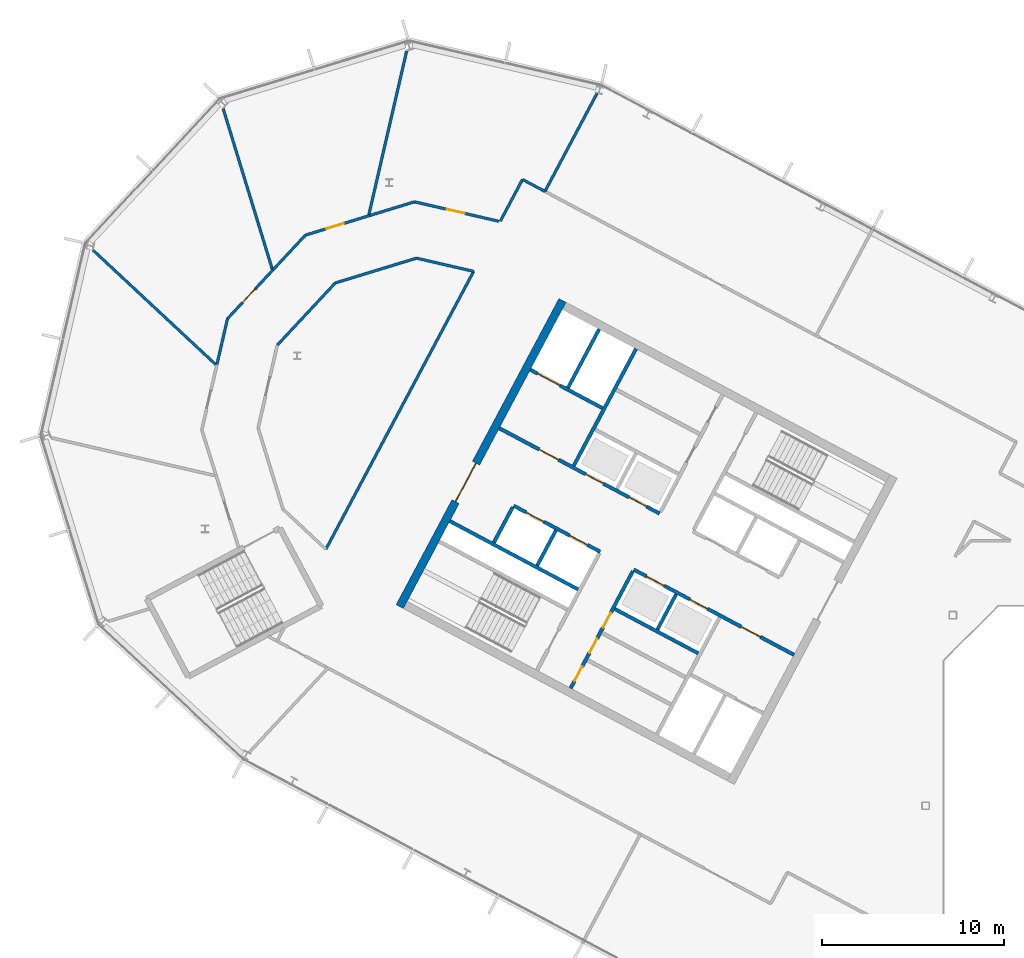
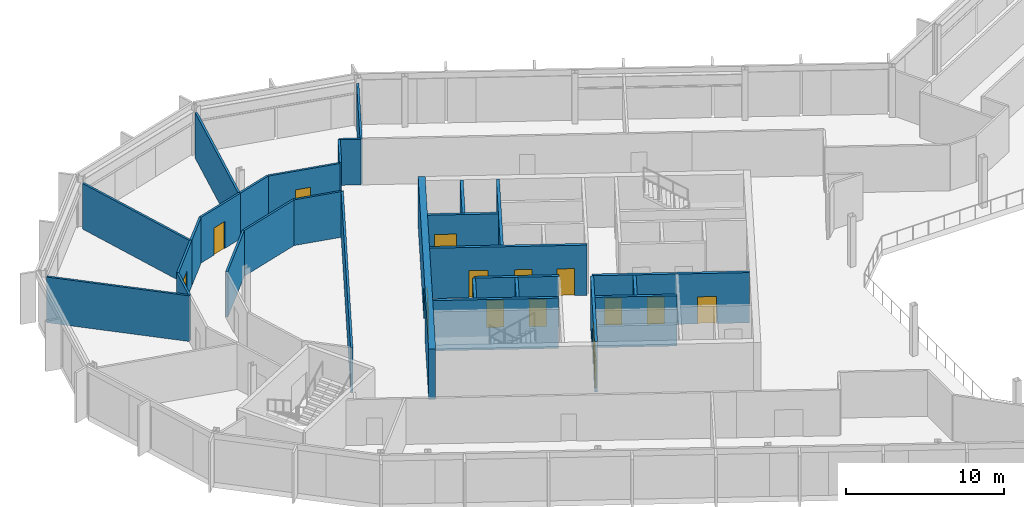
# One storey, part 15 of 30: 29 walls, 16 doors, 16 openings.
"""IFC4 building model written with IfcOpenShell, lengths in metres."""

from ifc_helpers import new_model, si_unit, direction, frame, frame_2d, origin, place, context, subcontext, project, spatial, rectangle, extrude, material, layer, layer_set, type_object, element, fill, save


model = new_model("IFC4")

# Units and contexts
model_context = context("Model", 3, precision=1e-05, world=origin(), true_north=direction((0.0, 1.0)))
body_context = subcontext(model_context, "Body", "Model", "MODEL_VIEW")
ifc_project = project(units=[si_unit("LENGTHUNIT", "METRE"), si_unit("AREAUNIT", "SQUARE_METRE"), si_unit("VOLUMEUNIT", "CUBIC_METRE"), si_unit("PLANEANGLEUNIT", "RADIAN"), si_unit("MASSUNIT", "GRAM", prefix="KILO")], contexts=[model_context])

# Site, building, storey
site_placement = place(None, origin())
site = spatial("IfcSite", under=ifc_project, at=site_placement, CompositionType="ELEMENT")
building_placement = place(site_placement, origin())
building = spatial("IfcBuilding", under=site, at=building_placement, Name="Cormorant Relay Tower", CompositionType="ELEMENT")
storey_placement = place(building_placement, frame((0.0, 0.0, 258.0)))
storey = spatial("IfcBuildingStorey", under=building, at=storey_placement, Name="L57", CompositionType="ELEMENT", Elevation=258.0)

# Walls
ifc_material_1 = material(Name="Concrete 40 MPa", Category="concrete")
ifc_layer_1 = layer(ifc_material_1, 0.199951171875)
ifc_layer_set_1 = layer_set([ifc_layer_1], Name="Core internal wall 200")
wall_type_1 = type_object("IfcWallType", Name="Core internal wall 200", PredefinedType="SOLIDWALL", material=ifc_layer_set_1)
for number, where, z_axis, x_axis, name in (
    (1, (-25.744140625, 11.64990234375, 0.0), (0.0, 0.0, 1.0), (-0.469487830541, -0.882938942948, 0.0), "L57 core A shaft and room wall"),
    (2, (-32.3662109375, 15.1708984375, 0.0), (0.0, 0.0, 1.0), (-0.469487830541, -0.882938942948, 0.0), "L57 core A shaft and room wall"),
):
    element("IfcWall", number, at=place(storey_placement, frame(where, z_axis=z_axis, x_axis=x_axis)), inside=storey, type_object=wall_type_1, Name=name, PredefinedType="SOLIDWALL", context=body_context, shape_type="SweptSolid", body=[
        extrude(rectangle(XDim=2.2001953125, YDim=0.199951171875, at=frame_2d((1.10009765625, 0.0))), origin(), (0.0, 0.0, 1.0), 3.89990234375),
    ])

# Wall, openings, doors
ifc_material_2 = material(Name="Concrete 50 MPa", Category="concrete")
ifc_layer_2 = layer(ifc_material_2, 0.199951171875)
ifc_layer_set_2 = layer_set([ifc_layer_2], Name="Core shaft wall 200")
wall_type_2 = type_object("IfcWallType", Name="Core shaft wall 200", PredefinedType="SHEAR", material=ifc_layer_set_2)
wall_1_placement = place(storey_placement, frame((-28.128173828125, 12.91748046875, 0.0), z_axis=(0.0, 0.0, 1.0), x_axis=(-0.469454336211, -0.882956752176, 0.0)))
wall_1 = element("IfcWall", 3, at=wall_1_placement, inside=storey, type_object=wall_type_2, Name="L57 core A shaft wall", PredefinedType="SHEAR", context=body_context, shape_type="SweptSolid", body=[
    extrude(rectangle(XDim=7.300048828125, YDim=0.199951171875, at=frame_2d((3.64990234375, 0.0))), origin(), (0.0, 0.0, 1.0), 3.89990234375),
])
opening_1_placement = place(wall_1_placement, frame((2.60009765625, 0.0, 0.0)))
opening_1 = element("IfcOpeningElement", 4, at=opening_1_placement, cuts=wall_1, Name="Opening CDD-278", PredefinedType="OPENING", context=body_context, shape_type="SweptSolid", body=[
    extrude(rectangle(XDim=0.89990234375, YDim=2.10009765625, at=frame_2d((0.449951171875, 1.050048828125))), frame((0.0, 0.10986328125, 0.0), z_axis=(0.0, -1.0, 0.0), x_axis=(1.0, 0.0, 0.0)), (0.0, 0.0, 1.0), 0.219970703125),
])
opening_2_placement = place(wall_1_placement, frame((4.199951171875, 0.0, 0.0)))
opening_2 = element("IfcOpeningElement", 5, at=opening_2_placement, cuts=wall_1, Name="Opening CDD-279", PredefinedType="OPENING", context=body_context, shape_type="SweptSolid", body=[
    extrude(rectangle(XDim=0.89990234375, YDim=2.10009765625, at=frame_2d((0.449951171875, 1.050048828125))), frame((0.0, 0.10986328125, 0.0), z_axis=(0.0, -1.0, 0.0), x_axis=(1.0, 0.0, 0.0)), (0.0, 0.0, 1.0), 0.219970703125),
])
opening_3_placement = place(wall_1_placement, frame((5.949951171875, 0.0, 0.0)))
opening_3 = element("IfcOpeningElement", 6, at=opening_3_placement, cuts=wall_1, Name="Opening CDD-280", PredefinedType="OPENING", context=body_context, shape_type="SweptSolid", body=[
    extrude(rectangle(XDim=0.89990234375, YDim=2.10009765625, at=frame_2d((0.449951171875, 1.050048828125))), frame((0.0, 0.10986328125, 0.0), z_axis=(0.0, -1.0, 0.0), x_axis=(1.0, 0.0, 0.0)), (0.0, 0.0, 1.0), 0.219970703125),
])
ifc_material_3 = material(Name="Steel fire door", Category="steel")
door_type_1 = type_object("IfcDoorType", Name="Core room door 900x2100", OperationType="SINGLE_SWING_LEFT", PredefinedType="DOOR", material=ifc_material_3)
door_1_placement = place(opening_1_placement, origin())
door_1 = element("IfcDoor", 7, at=door_1_placement, inside=storey, type_object=door_type_1, Name="Core room door 900x2100", OperationType="SINGLE_SWING_LEFT", OverallHeight=2.10009765625, OverallWidth=0.89990234375, PredefinedType="DOOR", context=body_context, shape_type="SweptSolid", body=[
    extrude(rectangle(XDim=0.89990234375, YDim=2.10009765625, at=frame_2d((0.449951171875, 1.050048828125))), frame((0.0, 0.02490234375, 0.0), z_axis=(0.0, -1.0, 0.0), x_axis=(1.0, 0.0, 0.0)), (0.0, 0.0, 1.0), 0.050048828125),
])
fill(opening_1, door_1)
door_2_placement = place(opening_2_placement, origin())
door_2 = element("IfcDoor", 8, at=door_2_placement, inside=storey, type_object=door_type_1, Name="Core room door 900x2100", OperationType="SINGLE_SWING_LEFT", OverallHeight=2.10009765625, OverallWidth=0.89990234375, PredefinedType="DOOR", context=body_context, shape_type="SweptSolid", body=[
    extrude(rectangle(XDim=0.89990234375, YDim=2.10009765625, at=frame_2d((0.449951171875, 1.050048828125))), frame((0.0, 0.02490234375, 0.0), z_axis=(0.0, -1.0, 0.0), x_axis=(1.0, 0.0, 0.0)), (0.0, 0.0, 1.0), 0.050048828125),
])
fill(opening_2, door_2)
door_3_placement = place(opening_3_placement, origin())
door_3 = element("IfcDoor", 9, at=door_3_placement, inside=storey, type_object=door_type_1, Name="Core room door 900x2100", OperationType="SINGLE_SWING_LEFT", OverallHeight=2.10009765625, OverallWidth=0.89990234375, PredefinedType="DOOR", context=body_context, shape_type="SweptSolid", body=[
    extrude(rectangle(XDim=0.89990234375, YDim=2.10009765625, at=frame_2d((0.449951171875, 1.050048828125))), frame((0.0, 0.02490234375, 0.0), z_axis=(0.0, -1.0, 0.0), x_axis=(1.0, 0.0, 0.0)), (0.0, 0.0, 1.0), 0.050048828125),
])
fill(opening_3, door_3)

# Walls
wall_2_placement = place(storey_placement, frame((-27.955322265625, 25.170654296875, 0.0), z_axis=(0.0, 0.0, 1.0), x_axis=(-0.469480409012, -0.88294288918, 0.0)))
element("IfcWall", 10, at=wall_2_placement, inside=storey, type_object=wall_type_2, Name="L57 core A shaft wall", PredefinedType="SHEAR", context=body_context, shape_type="SweptSolid", body=[
    extrude(rectangle(XDim=7.300048828125, YDim=0.199951171875, at=frame_2d((3.64990234375, 0.0))), origin(), (0.0, 0.0, 1.0), 3.89990234375),
])
wall_3_placement = place(storey_placement, frame((-34.750244140625, 16.4384765625, 0.0), z_axis=(0.0, 0.0, 1.0), x_axis=(-0.469401318492, -0.882984938828, 0.0)))
element("IfcWall", 11, at=wall_3_placement, inside=storey, type_object=wall_type_2, Name="L57 core A shaft wall", PredefinedType="SHEAR", context=body_context, shape_type="SweptSolid", body=[
    extrude(rectangle(XDim=2.199951171875, YDim=0.199951171875, at=frame_2d((1.10009765625, 0.0))), origin(), (0.0, 0.0, 1.0), 3.89990234375),
])
wall_4_placement = place(storey_placement, frame((-29.986083984375, 26.250244140625, 0.0), z_axis=(0.0, 0.0, 1.0), x_axis=(-0.469494272526, -0.882935517501, 0.0)))
element("IfcWall", 12, at=wall_4_placement, inside=storey, type_object=wall_type_2, Name="L57 core A shaft wall", PredefinedType="SHEAR", context=body_context, shape_type="SweptSolid", body=[
    extrude(rectangle(XDim=3.64990234375, YDim=0.199951171875, at=frame_2d((1.824951171875, 0.0))), origin(), (0.0, 0.0, 1.0), 3.89990234375),
])

# Wall, opening, door
wall_5_placement = place(storey_placement, frame((-29.80419921875, 21.906494140625, 0.0), z_axis=(0.0, 0.0, 1.0), x_axis=(-0.882960433586, 0.469447412093, 0.0)))
wall_5 = element("IfcWall", 13, at=wall_5_placement, inside=storey, type_object=wall_type_2, Name="L57 core A shaft wall", PredefinedType="SHEAR", context=body_context, shape_type="SweptSolid", body=[
    extrude(rectangle(XDim=4.5, YDim=0.199951171875, at=frame_2d((2.25, 0.0))), origin(), (0.0, 0.0, 1.0), 3.89990234375),
])
opening_4_placement = place(wall_5_placement, frame((2.64990234375, 0.0, 0.0)))
opening_4 = element("IfcOpeningElement", 14, at=opening_4_placement, cuts=wall_5, Name="Opening LD3-015", PredefinedType="OPENING", context=body_context, shape_type="SweptSolid", body=[
    extrude(rectangle(XDim=1.39990234375, YDim=2.39990234375, at=frame_2d((0.699951171875, 1.199951171875))), frame((0.0, 0.10986328125, 0.0), z_axis=(0.0, -1.0, 0.0), x_axis=(1.0, 0.0, 0.0)), (0.0, 0.0, 1.0), 0.219970703125),
])
ifc_material_4 = material(Name="Stainless steel 316", Category="steel")
door_type_2 = type_object("IfcDoorType", Name="Lift landing door 1400x2400", OperationType="DOUBLE_DOOR_SLIDING", PredefinedType="DOOR", material=ifc_material_4)
door_4_placement = place(opening_4_placement, origin())
door_4 = element("IfcDoor", 15, at=door_4_placement, inside=storey, type_object=door_type_2, Name="SV1 landing door", OperationType="DOUBLE_DOOR_SLIDING", OverallHeight=2.39990234375, OverallWidth=1.39990234375, PredefinedType="DOOR", context=body_context, shape_type="SweptSolid", body=[
    extrude(rectangle(XDim=1.39990234375, YDim=2.39990234375, at=frame_2d((0.699951171875, 1.199951171875))), frame((0.0, 0.02490234375, 0.0), z_axis=(0.0, -1.0, 0.0), x_axis=(1.0, 0.0, 0.0)), (0.0, 0.0, 1.0), 0.050048828125),
])
fill(opening_4, door_4)

# Wall, openings, doors
wall_6_placement = place(storey_placement, frame((-26.66162109375, 16.1015625, 0.0), z_axis=(0.0, 0.0, 1.0), x_axis=(-0.882940221191, 0.469485426614, 0.0)))
wall_6 = element("IfcWall", 16, at=wall_6_placement, inside=storey, type_object=wall_type_2, Name="L57 core A shaft wall", PredefinedType="SHEAR", context=body_context, shape_type="SweptSolid", body=[
    extrude(rectangle(XDim=10.0, YDim=0.199951171875, at=frame_2d((5.0, 0.0))), origin(), (0.0, 0.0, 1.0), 3.89990234375),
])
opening_5_placement = place(wall_6_placement, frame((6.300048828125, 0.0, 0.0)))
opening_5 = element("IfcOpeningElement", 17, at=opening_5_placement, cuts=wall_6, Name="Opening CDC-034", PredefinedType="OPENING", context=body_context, shape_type="SweptSolid", body=[
    extrude(rectangle(XDim=1.199951171875, YDim=2.10009765625, at=frame_2d((0.60009765625, 1.050048828125))), frame((0.0, 0.10986328125, 0.0), z_axis=(0.0, -1.0, 0.0), x_axis=(1.0, 0.0, 0.0)), (0.0, 0.0, 1.0), 0.219970703125),
])
opening_6_placement = place(wall_6_placement, frame((0.800048828125, 0.0, 0.0)))
opening_6 = element("IfcOpeningElement", 18, at=opening_6_placement, cuts=wall_6, Name="Opening LD1-067", PredefinedType="OPENING", context=body_context, shape_type="SweptSolid", body=[
    extrude(rectangle(XDim=1.10009765625, YDim=2.10009765625, at=frame_2d((0.550048828125, 1.050048828125))), frame((0.0, 0.10986328125, 0.0), z_axis=(0.0, -1.0, 0.0), x_axis=(1.0, 0.0, 0.0)), (0.0, 0.0, 1.0), 0.219970703125),
])
opening_7_placement = place(wall_6_placement, frame((3.5, 0.0, 0.0)))
opening_7 = element("IfcOpeningElement", 19, at=opening_7_placement, cuts=wall_6, Name="Opening LD1-068", PredefinedType="OPENING", context=body_context, shape_type="SweptSolid", body=[
    extrude(rectangle(XDim=1.10009765625, YDim=2.10009765625, at=frame_2d((0.550048828125, 1.050048828125))), frame((0.0, 0.10986328125, 0.0), z_axis=(0.0, -1.0, 0.0), x_axis=(1.0, 0.0, 0.0)), (0.0, 0.0, 1.0), 0.219970703125),
])
ifc_material_5 = material(Name="Steel fire door", Category="steel")
door_type_3 = type_object("IfcDoorType", Name="Core lobby door 1200x2100", OperationType="SINGLE_SWING_LEFT", PredefinedType="DOOR", material=ifc_material_5)
door_5_placement = place(opening_5_placement, origin())
door_5 = element("IfcDoor", 20, at=door_5_placement, inside=storey, type_object=door_type_3, Name="Core lobby door 1200x2100", OperationType="SINGLE_SWING_LEFT", OverallHeight=2.10009765625, OverallWidth=1.199951171875, PredefinedType="DOOR", context=body_context, shape_type="SweptSolid", body=[
    extrude(rectangle(XDim=1.199951171875, YDim=2.10009765625, at=frame_2d((0.60009765625, 1.050048828125))), frame((0.0, 0.02490234375, 0.0), z_axis=(0.0, -1.0, 0.0), x_axis=(1.0, 0.0, 0.0)), (0.0, 0.0, 1.0), 0.050048828125),
])
fill(opening_5, door_5)
ifc_material_6 = material(Name="Stainless steel 316", Category="steel")
door_type_4 = type_object("IfcDoorType", Name="Lift landing door 1100x2100", OperationType="DOUBLE_DOOR_SLIDING", PredefinedType="DOOR", material=ifc_material_6)
door_6_placement = place(opening_6_placement, origin())
door_6 = element("IfcDoor", 21, at=door_6_placement, inside=storey, type_object=door_type_4, Name="HR3 landing door", OperationType="DOUBLE_DOOR_SLIDING", OverallHeight=2.10009765625, OverallWidth=1.10009765625, PredefinedType="DOOR", context=body_context, shape_type="SweptSolid", body=[
    extrude(rectangle(XDim=1.10009765625, YDim=2.10009765625, at=frame_2d((0.550048828125, 1.050048828125))), frame((0.0, 0.02490234375, 0.0), z_axis=(0.0, -1.0, 0.0), x_axis=(1.0, 0.0, 0.0)), (0.0, 0.0, 1.0), 0.050048828125),
])
fill(opening_6, door_6)
door_7_placement = place(opening_7_placement, origin())
door_7 = element("IfcDoor", 22, at=door_7_placement, inside=storey, type_object=door_type_4, Name="HR4 landing door", OperationType="DOUBLE_DOOR_SLIDING", OverallHeight=2.10009765625, OverallWidth=1.10009765625, PredefinedType="DOOR", context=body_context, shape_type="SweptSolid", body=[
    extrude(rectangle(XDim=1.10009765625, YDim=2.10009765625, at=frame_2d((0.550048828125, 1.050048828125))), frame((0.0, 0.02490234375, 0.0), z_axis=(0.0, -1.0, 0.0), x_axis=(1.0, 0.0, 0.0)), (0.0, 0.0, 1.0), 0.050048828125),
])
fill(opening_7, door_7)

wall_7_placement = place(storey_placement, frame((-19.251708984375, 8.31103515625, 0.0), z_axis=(0.0, 0.0, 1.0), x_axis=(-0.882955722218, 0.469456273365, 0.0)))
wall_7 = element("IfcWall", 23, at=wall_7_placement, inside=storey, type_object=wall_type_2, Name="L57 core A shaft wall", PredefinedType="SHEAR", context=body_context, shape_type="SweptSolid", body=[
    extrude(rectangle(XDim=10.0, YDim=0.199951171875, at=frame_2d((5.0, 0.0))), origin(), (0.0, 0.0, 1.0), 3.89990234375),
])
opening_8_placement = place(wall_7_placement, frame((2.10009765625, 0.0, 0.0)))
opening_8 = element("IfcOpeningElement", 24, at=opening_8_placement, cuts=wall_7, Name="Opening CDC-033", PredefinedType="OPENING", context=body_context, shape_type="SweptSolid", body=[
    extrude(rectangle(XDim=1.199951171875, YDim=2.10009765625, at=frame_2d((0.60009765625, 1.050048828125))), frame((0.0, 0.10986328125, 0.0), z_axis=(0.0, -1.0, 0.0), x_axis=(1.0, 0.0, 0.0)), (0.0, 0.0, 1.0), 0.219970703125),
])
opening_9_placement = place(wall_7_placement, frame((5.39990234375, 0.0, 0.0)))
opening_9 = element("IfcOpeningElement", 25, at=opening_9_placement, cuts=wall_7, Name="Opening LD1-065", PredefinedType="OPENING", context=body_context, shape_type="SweptSolid", body=[
    extrude(rectangle(XDim=1.10009765625, YDim=2.10009765625, at=frame_2d((0.550048828125, 1.050048828125))), frame((0.0, 0.10986328125, 0.0), z_axis=(0.0, -1.0, 0.0), x_axis=(1.0, 0.0, 0.0)), (0.0, 0.0, 1.0), 0.219970703125),
])
opening_10_placement = place(wall_7_placement, frame((8.10009765625, 0.0, 0.0)))
opening_10 = element("IfcOpeningElement", 26, at=opening_10_placement, cuts=wall_7, Name="Opening LD1-066", PredefinedType="OPENING", context=body_context, shape_type="SweptSolid", body=[
    extrude(rectangle(XDim=1.10009765625, YDim=2.10009765625, at=frame_2d((0.550048828125, 1.050048828125))), frame((0.0, 0.10986328125, 0.0), z_axis=(0.0, -1.0, 0.0), x_axis=(1.0, 0.0, 0.0)), (0.0, 0.0, 1.0), 0.219970703125),
])
door_8_placement = place(opening_8_placement, origin())
door_8 = element("IfcDoor", 27, at=door_8_placement, inside=storey, type_object=door_type_3, Name="Core lobby door 1200x2100", OperationType="SINGLE_SWING_RIGHT", OverallHeight=2.10009765625, OverallWidth=1.199951171875, PredefinedType="DOOR", context=body_context, shape_type="SweptSolid", body=[
    extrude(rectangle(XDim=1.199951171875, YDim=2.10009765625, at=frame_2d((0.60009765625, 1.050048828125))), frame((0.0, 0.02490234375, 0.0), z_axis=(0.0, -1.0, 0.0), x_axis=(1.0, 0.0, 0.0)), (0.0, 0.0, 1.0), 0.050048828125),
])
fill(opening_8, door_8)
door_9_placement = place(opening_9_placement, origin())
door_9 = element("IfcDoor", 28, at=door_9_placement, inside=storey, type_object=door_type_4, Name="HR1 landing door", OperationType="DOUBLE_DOOR_SLIDING", OverallHeight=2.10009765625, OverallWidth=1.10009765625, PredefinedType="DOOR", context=body_context, shape_type="SweptSolid", body=[
    extrude(rectangle(XDim=1.10009765625, YDim=2.10009765625, at=frame_2d((0.550048828125, 1.050048828125))), frame((0.0, 0.02490234375, 0.0), z_axis=(0.0, -1.0, 0.0), x_axis=(1.0, 0.0, 0.0)), (0.0, 0.0, 1.0), 0.050048828125),
])
fill(opening_9, door_9)
door_10_placement = place(opening_10_placement, origin())
door_10 = element("IfcDoor", 29, at=door_10_placement, inside=storey, type_object=door_type_4, Name="HR2 landing door", OperationType="DOUBLE_DOOR_SLIDING", OverallHeight=2.10009765625, OverallWidth=1.10009765625, PredefinedType="DOOR", context=body_context, shape_type="SweptSolid", body=[
    extrude(rectangle(XDim=1.10009765625, YDim=2.10009765625, at=frame_2d((0.550048828125, 1.050048828125))), frame((0.0, 0.02490234375, 0.0), z_axis=(0.0, -1.0, 0.0), x_axis=(1.0, 0.0, 0.0)), (0.0, 0.0, 1.0), 0.050048828125),
])
fill(opening_10, door_10)

wall_8_placement = place(storey_placement, frame((-29.935302734375, 13.991455078125, 0.0), z_axis=(0.0, 0.0, 1.0), x_axis=(-0.882952937579, 0.469461510692, 0.0)))
wall_8 = element("IfcWall", 30, at=wall_8_placement, inside=storey, type_object=wall_type_2, Name="L57 core A shaft wall", PredefinedType="SHEAR", context=body_context, shape_type="SweptSolid", body=[
    extrude(rectangle(XDim=5.400146484375, YDim=0.199951171875, at=frame_2d((2.7001953125, 0.0))), origin(), (0.0, 0.0, 1.0), 3.89990234375),
])
opening_11_placement = place(wall_8_placement, frame((0.800048828125, 0.0, 0.0)))
opening_11 = element("IfcOpeningElement", 31, at=opening_11_placement, cuts=wall_8, Name="Opening LD1-059", PredefinedType="OPENING", context=body_context, shape_type="SweptSolid", body=[
    extrude(rectangle(XDim=1.10009765625, YDim=2.10009765625, at=frame_2d((0.550048828125, 1.050048828125))), frame((0.0, 0.10986328125, 0.0), z_axis=(0.0, -1.0, 0.0), x_axis=(1.0, 0.0, 0.0)), (0.0, 0.0, 1.0), 0.219970703125),
])
opening_12_placement = place(wall_8_placement, frame((3.5, 0.0, 0.0)))
opening_12 = element("IfcOpeningElement", 32, at=opening_12_placement, cuts=wall_8, Name="Opening LD1-060", PredefinedType="OPENING", context=body_context, shape_type="SweptSolid", body=[
    extrude(rectangle(XDim=1.10009765625, YDim=2.10009765625, at=frame_2d((0.550048828125, 1.050048828125))), frame((0.0, 0.10986328125, 0.0), z_axis=(0.0, -1.0, 0.0), x_axis=(1.0, 0.0, 0.0)), (0.0, 0.0, 1.0), 0.219970703125),
])
door_11_placement = place(opening_11_placement, origin())
door_11 = element("IfcDoor", 33, at=door_11_placement, inside=storey, type_object=door_type_4, Name="MR1 landing door", OperationType="DOUBLE_DOOR_SLIDING", OverallHeight=2.10009765625, OverallWidth=1.10009765625, PredefinedType="DOOR", context=body_context, shape_type="SweptSolid", body=[
    extrude(rectangle(XDim=1.10009765625, YDim=2.10009765625, at=frame_2d((0.550048828125, 1.050048828125))), frame((0.0, 0.02490234375, 0.0), z_axis=(0.0, -1.0, 0.0), x_axis=(1.0, 0.0, 0.0)), (0.0, 0.0, 1.0), 0.050048828125),
])
fill(opening_11, door_11)
door_12_placement = place(opening_12_placement, origin())
door_12 = element("IfcDoor", 34, at=door_12_placement, inside=storey, type_object=door_type_4, Name="MR2 landing door", OperationType="DOUBLE_DOOR_SLIDING", OverallHeight=2.10009765625, OverallWidth=1.10009765625, PredefinedType="DOOR", context=body_context, shape_type="SweptSolid", body=[
    extrude(rectangle(XDim=1.10009765625, YDim=2.10009765625, at=frame_2d((0.550048828125, 1.050048828125))), frame((0.0, 0.02490234375, 0.0), z_axis=(0.0, -1.0, 0.0), x_axis=(1.0, 0.0, 0.0)), (0.0, 0.0, 1.0), 0.050048828125),
])
fill(opening_12, door_12)

# Walls
wall_9_placement = place(storey_placement, frame((-24.5283203125, 8.3984375, 0.0), z_axis=(0.0, 0.0, 1.0), x_axis=(-0.882953967957, 0.469459572775, 0.0)))
element("IfcWall", 35, at=wall_9_placement, inside=storey, type_object=wall_type_2, Name="L57 core A shaft wall", PredefinedType="SHEAR", context=body_context, shape_type="SweptSolid", body=[
    extrude(rectangle(XDim=5.199951171875, YDim=0.199951171875, at=frame_2d((2.60009765625, 0.0))), origin(), (0.0, 0.0, 1.0), 3.89990234375),
])
wall_10_placement = place(storey_placement, frame((-31.150390625, 11.91943359375, 0.0), z_axis=(0.0, 0.0, 1.0), x_axis=(-0.882940221191, 0.469485426614, 0.0)))
element("IfcWall", 36, at=wall_10_placement, inside=storey, type_object=wall_type_2, Name="L57 core A shaft wall", PredefinedType="SHEAR", context=body_context, shape_type="SweptSolid", body=[
    extrude(rectangle(XDim=8.0, YDim=0.199951171875, at=frame_2d((4.0, 0.0))), origin(), (0.0, 0.0, 1.0), 3.89990234375),
])

# Wall, opening, door
ifc_material_7 = material(Name="Concrete 50 MPa", Category="concrete")
ifc_layer_3 = layer(ifc_material_7, 0.449951171875)
ifc_layer_set_3 = layer_set([ifc_layer_3], Name="Core wall 450")
wall_type_3 = type_object("IfcWallType", Name="Core wall 450", PredefinedType="SHEAR", material=ifc_layer_set_3)
wall_11_placement = place(storey_placement, frame((-32.00439453125, 27.8330078125, 0.0), z_axis=(0.0, 0.0, 1.0), x_axis=(-0.469467968382, -0.882949504028, 0.0)))
wall_11 = element("IfcWall", 37, at=wall_11_placement, inside=storey, type_object=wall_type_3, Name="L57 core A wall", PredefinedType="SHEAR", context=body_context, shape_type="SweptSolid", body=[
    extrude(rectangle(XDim=19.099853515625, YDim=0.449951171875, at=frame_2d((9.5498046875, 0.0))), origin(), (0.0, 0.0, 1.0), 3.89990234375),
])
opening_13_placement = place(wall_11_placement, frame((10.14990234375, 0.0, 0.0)))
opening_13 = element("IfcOpeningElement", 38, at=opening_13_placement, cuts=wall_11, Name="Opening CDA-051", PredefinedType="OPENING", context=body_context, shape_type="SweptSolid", body=[
    extrude(rectangle(XDim=2.39990234375, YDim=2.39990234375, at=frame_2d((1.199951171875, 1.199951171875))), frame((0.0, 0.23486328125, 0.0), z_axis=(0.0, -1.0, 0.0), x_axis=(1.0, 0.0, 0.0)), (0.0, 0.0, 1.0), 0.469970703125),
])
ifc_material_8 = material(Name="Steel fire door", Category="steel")
door_type_5 = type_object("IfcDoorType", Name="Core lobby door 2400x2400", OperationType="DOUBLE_DOOR_SINGLE_SWING", PredefinedType="DOOR", material=ifc_material_8)
door_13_placement = place(opening_13_placement, origin())
door_13 = element("IfcDoor", 39, at=door_13_placement, inside=storey, type_object=door_type_5, Name="Core lobby door 2400x2400", OperationType="DOUBLE_DOOR_SINGLE_SWING", OverallHeight=2.39990234375, OverallWidth=2.39990234375, PredefinedType="DOOR", context=body_context, shape_type="SweptSolid", body=[
    extrude(rectangle(XDim=2.39990234375, YDim=2.39990234375, at=frame_2d((1.199951171875, 1.199951171875))), frame((0.0, 0.02490234375, 0.0), z_axis=(0.0, -1.0, 0.0), x_axis=(1.0, 0.0, 0.0)), (0.0, 0.0, 1.0), 0.050048828125),
])
fill(opening_13, door_13)

ifc_material_9 = material(Name="Gypsum board fire partition")
ifc_layer_4 = layer(ifc_material_9, 0.14990234375)
ifc_layer_set_4 = layer_set([ifc_layer_4], Name="Corridor partition 150 EI 60")
wall_type_4 = type_object("IfcWallType", Name="Corridor partition 150 EI 60", PredefinedType="PARTITIONING", material=ifc_layer_set_4)
wall_12_placement = place(storey_placement, frame((-47.94091796875, 29.530029296875, 0.0), z_axis=(0.0, 0.0, 1.0), x_axis=(-0.682044894272, -0.731310304999, 0.0)))
wall_12 = element("IfcWall", 40, at=wall_12_placement, inside=storey, type_object=wall_type_4, Name="wall/L57/part/007", PredefinedType="PARTITIONING", context=body_context, shape_type="SweptSolid", body=[
    extrude(rectangle(XDim=3.69189453125, YDim=0.14990234375, at=frame_2d((1.845947265625, 0.0))), origin(), (0.0, 0.0, 1.0), 3.5400390625),
])
opening_14_placement = place(wall_12_placement, frame((1.47509765625, 0.0, 0.0)))
opening_14 = element("IfcOpeningElement", 41, at=opening_14_placement, cuts=wall_12, Name="Opening DS-195", PredefinedType="OPENING", context=body_context, shape_type="SweptSolid", body=[
    extrude(rectangle(XDim=1.0, YDim=2.10009765625, at=frame_2d((0.5, 1.050048828125))), frame((0.0, 0.0849609375, 0.0), z_axis=(0.0, -1.0, 0.0), x_axis=(1.0, 0.0, 0.0)), (0.0, 0.0, 1.0), 0.169921875),
])
ifc_material_10 = material(Name="Timber door leaf", Category="wood")
door_type_6 = type_object("IfcDoorType", Name="Suite door 1000x2100", OperationType="SINGLE_SWING_LEFT", PredefinedType="DOOR", material=ifc_material_10)
door_14_placement = place(opening_14_placement, frame((1.0, 0.0, 0.0), z_axis=(0.0, 0.0, 1.0), x_axis=(-1.0, 0.0, 0.0)))
door_14 = element("IfcDoor", 42, at=door_14_placement, inside=storey, type_object=door_type_6, Name="door/L57/009", OperationType="SINGLE_SWING_RIGHT", OverallHeight=2.10009765625, OverallWidth=1.0, PredefinedType="DOOR", context=body_context, shape_type="SweptSolid", body=[
    extrude(rectangle(XDim=1.0, YDim=2.10009765625, at=frame_2d((0.5, 1.050048828125))), frame((0.0, 0.02490234375, 0.0), z_axis=(0.0, -1.0, 0.0), x_axis=(1.0, 0.0, 0.0)), (0.0, 0.0, 1.0), 0.050048828125),
])
fill(opening_14, door_14)

# Wall
wall_13_placement = place(storey_placement, frame((-50.458984375, 26.830078125, 0.0), z_axis=(0.0, 0.0, 1.0), x_axis=(-0.225121568864, -0.974330682691, 0.0)))
element("IfcWall", 43, at=wall_13_placement, inside=storey, type_object=wall_type_4, Name="wall/L57/part/008", PredefinedType="PARTITIONING", context=body_context, shape_type="SweptSolid", body=[
    extrude(rectangle(XDim=2.58544921875, YDim=0.14990234375, at=frame_2d((1.292724609375, 0.0))), origin(), (0.0, 0.0, 1.0), 3.5400390625),
])

# Wall, opening, door
wall_14_placement = place(storey_placement, frame((-42.638916015625, 32.509033203125, 0.0), z_axis=(0.0, 0.0, 1.0), x_axis=(-0.956263759499, -0.292505764504, 0.0)))
wall_14 = element("IfcWall", 44, at=wall_14_placement, inside=storey, type_object=wall_type_4, Name="wall/L57/part/012", PredefinedType="PARTITIONING", context=body_context, shape_type="SweptSolid", body=[
    extrude(rectangle(XDim=3.6923828125, YDim=0.14990234375, at=frame_2d((1.84619140625, 0.0))), origin(), (0.0, 0.0, 1.0), 3.5400390625),
])
opening_15_placement = place(wall_14_placement, frame((1.47509765625, 0.0, 0.0)))
opening_15 = element("IfcOpeningElement", 45, at=opening_15_placement, cuts=wall_14, Name="Opening DS-194", PredefinedType="OPENING", context=body_context, shape_type="SweptSolid", body=[
    extrude(rectangle(XDim=1.0, YDim=2.10009765625, at=frame_2d((0.5, 1.050048828125))), frame((0.0, 0.0849609375, 0.0), z_axis=(0.0, -1.0, 0.0), x_axis=(1.0, 0.0, 0.0)), (0.0, 0.0, 1.0), 0.169921875),
])
door_15_placement = place(opening_15_placement, frame((1.0, 0.0, 0.0), z_axis=(0.0, 0.0, 1.0), x_axis=(-1.0, 0.0, 0.0)))
door_15 = element("IfcDoor", 46, at=door_15_placement, inside=storey, type_object=door_type_6, Name="door/L57/008", OperationType="SINGLE_SWING_RIGHT", OverallHeight=2.10009765625, OverallWidth=1.0, PredefinedType="DOOR", context=body_context, shape_type="SweptSolid", body=[
    extrude(rectangle(XDim=1.0, YDim=2.10009765625, at=frame_2d((0.5, 1.050048828125))), frame((0.0, 0.02490234375, 0.0), z_axis=(0.0, -1.0, 0.0), x_axis=(1.0, 0.0, 0.0)), (0.0, 0.0, 1.0), 0.050048828125),
])
fill(opening_15, door_15)

# Wall
wall_15_placement = place(storey_placement, frame((-46.169921875, 31.428955078125, 0.0), z_axis=(0.0, 0.0, 1.0), x_axis=(-0.68198172509, -0.731369213628, 0.0)))
element("IfcWall", 47, at=wall_15_placement, inside=storey, type_object=wall_type_4, Name="wall/L57/part/013", PredefinedType="PARTITIONING", context=body_context, shape_type="SweptSolid", body=[
    extrude(rectangle(XDim=2.58544921875, YDim=0.14990234375, at=frame_2d((1.292724609375, 0.0))), origin(), (0.0, 0.0, 1.0), 3.5400390625),
])

# Wall, opening, door
wall_16_placement = place(storey_placement, frame((-35.50537109375, 32.193115234375, 0.0), z_axis=(0.0, 0.0, 1.0), x_axis=(-0.974367056683, 0.22496408347, 0.0)))
wall_16 = element("IfcWall", 48, at=wall_16_placement, inside=storey, type_object=wall_type_4, Name="wall/L57/part/018", PredefinedType="PARTITIONING", context=body_context, shape_type="SweptSolid", body=[
    extrude(rectangle(XDim=4.77392578125, YDim=0.14990234375, at=frame_2d((2.386962890625, 0.0))), origin(), (0.0, 0.0, 1.0), 3.5400390625),
])
opening_16_placement = place(wall_16_placement, frame((1.9404296875, 0.0, 0.0)))
opening_16 = element("IfcOpeningElement", 49, at=opening_16_placement, cuts=wall_16, Name="Opening DS-193", PredefinedType="OPENING", context=body_context, shape_type="SweptSolid", body=[
    extrude(rectangle(XDim=1.0, YDim=2.10009765625, at=frame_2d((0.5, 1.050048828125))), frame((0.0, 0.0849609375, 0.0), z_axis=(0.0, -1.0, 0.0), x_axis=(1.0, 0.0, 0.0)), (0.0, 0.0, 1.0), 0.169921875),
])
door_16_placement = place(opening_16_placement, frame((1.0, 0.0, 0.0), z_axis=(0.0, 0.0, 1.0), x_axis=(-1.0, 0.0, 0.0)))
door_16 = element("IfcDoor", 50, at=door_16_placement, inside=storey, type_object=door_type_6, Name="door/L57/007", OperationType="SINGLE_SWING_RIGHT", OverallHeight=2.10009765625, OverallWidth=1.0, PredefinedType="DOOR", context=body_context, shape_type="SweptSolid", body=[
    extrude(rectangle(XDim=1.0, YDim=2.10009765625, at=frame_2d((0.5, 1.050048828125))), frame((0.0, 0.02490234375, 0.0), z_axis=(0.0, -1.0, 0.0), x_axis=(1.0, 0.0, 0.0)), (0.0, 0.0, 1.0), 0.050048828125),
])
fill(opening_16, door_16)

# Walls
wall_17_placement = place(storey_placement, frame((-40.156982421875, 33.26708984375, 0.0), z_axis=(0.0, 0.0, 1.0), x_axis=(-0.956265748616, -0.292499261577, 0.0)))
element("IfcWall", 51, at=wall_17_placement, inside=storey, type_object=wall_type_4, Name="wall/L57/part/019", PredefinedType="PARTITIONING", context=body_context, shape_type="SweptSolid", body=[
    extrude(rectangle(XDim=2.5849609375, YDim=0.14990234375, at=frame_2d((1.29248046875, 0.0))), origin(), (0.0, 0.0, 1.0), 3.5400390625),
])
wall_18_placement = place(storey_placement, frame((-32.97509765625, 33.842041015625, 0.0), z_axis=(0.0, 0.0, 1.0), x_axis=(-0.88325597014, 0.46889112938, 0.0)))
element("IfcWall", 52, at=wall_18_placement, inside=storey, type_object=wall_type_4, Name="wall/L57/part/020", PredefinedType="PARTITIONING", context=body_context, shape_type="SweptSolid", body=[
    extrude(rectangle(XDim=1.39697265625, YDim=0.14990234375, at=frame_2d((0.698486328125, 0.0))), origin(), (0.0, 0.0, 1.0), 3.5400390625),
])
wall_19_placement = place(storey_placement, frame((-35.428955078125, 32.201904296875, 0.0), z_axis=(0.0, 0.0, 1.0), x_axis=(0.469491528043, 0.882936976854, 0.0)))
element("IfcWall", 53, at=wall_19_placement, inside=storey, type_object=wall_type_4, Name="wall/L57/part/021", PredefinedType="PARTITIONING", context=body_context, shape_type="SweptSolid", body=[
    extrude(rectangle(XDim=2.6005859375, YDim=0.14990234375, at=frame_2d((1.30029296875, 0.0))), origin(), (0.0, 0.0, 1.0), 3.5400390625),
])
wall_20_placement = place(storey_placement, frame((-47.717041015625, 25.37109375, 0.0), z_axis=(0.0, 0.0, 1.0), x_axis=(0.682037643885, 0.731317066889, 0.0)))
element("IfcWall", 54, at=wall_20_placement, inside=storey, type_object=wall_type_4, Name="wall/L57/part/056", PredefinedType="PARTITIONING", context=body_context, shape_type="SweptSolid", body=[
    extrude(rectangle(XDim=4.681640625, YDim=0.14990234375, at=frame_2d((2.3408203125, 0.0))), origin(), (0.0, 0.0, 1.0), 3.5400390625),
])
wall_21_placement = place(storey_placement, frame((-44.52392578125, 28.794921875, 0.0), z_axis=(0.0, 0.0, 1.0), x_axis=(0.956318764789, 0.292325879991, 0.0)))
element("IfcWall", 55, at=wall_21_placement, inside=storey, type_object=wall_type_4, Name="wall/L57/part/057", PredefinedType="PARTITIONING", context=body_context, shape_type="SweptSolid", body=[
    extrude(rectangle(XDim=4.68017578125, YDim=0.14990234375, at=frame_2d((2.340087890625, 0.0))), origin(), (0.0, 0.0, 1.0), 3.5400390625),
])
wall_22_placement = place(storey_placement, frame((-40.048095703125, 30.1630859375, 0.0), z_axis=(0.0, 0.0, 1.0), x_axis=(0.974354251236, -0.22501953937, 0.0)))
element("IfcWall", 56, at=wall_22_placement, inside=storey, type_object=wall_type_4, Name="wall/L57/part/058", PredefinedType="PARTITIONING", context=body_context, shape_type="SweptSolid", body=[
    extrude(rectangle(XDim=3.23095703125, YDim=0.14990234375, at=frame_2d((1.615478515625, 0.0))), origin(), (0.0, 0.0, 1.0), 3.5400390625),
])
wall_23_placement = place(storey_placement, frame((-36.89990234375, 29.43603515625, 0.0), z_axis=(0.0, 0.0, 1.0), x_axis=(-0.469489871427, -0.882937857739, 0.0)))
element("IfcWall", 57, at=wall_23_placement, inside=storey, type_object=wall_type_4, Name="wall/L57/part/059", PredefinedType="PARTITIONING", context=body_context, shape_type="SweptSolid", body=[
    extrude(rectangle(XDim=17.333984375, YDim=0.14990234375, at=frame_2d((8.6669921875, 0.0))), origin(), (0.0, 0.0, 1.0), 3.5400390625),
])
ifc_material_11 = material(Name="Gypsum board partition")
ifc_layer_5 = layer(ifc_material_11, 0.14990234375)
ifc_layer_set_5 = layer_set([ifc_layer_5], Name="Tenant partition 150")
wall_type_5 = type_object("IfcWallType", Name="Tenant partition 150", PredefinedType="PARTITIONING", material=ifc_layer_set_5)
wall_24_placement = place(storey_placement, frame((-57.8720703125, 30.60791015625, 0.0), z_axis=(0.0, 0.0, 1.0), x_axis=(0.73146276177, -0.681881388618, 0.0)))
element("IfcWall", 58, at=wall_24_placement, inside=storey, type_object=wall_type_5, Name="wall/L57/part/002", PredefinedType="PARTITIONING", context=body_context, shape_type="SweptSolid", body=[
    extrude(rectangle(XDim=9.3212890625, YDim=0.14990234375, at=frame_2d((4.66064453125, 0.0))), origin(), (0.0, 0.0, 1.0), 3.5400390625),
])
wall_25_placement = place(storey_placement, frame((-50.699951171875, 38.406005859375, 0.0), z_axis=(0.0, 0.0, 1.0), x_axis=(0.292482077748, -0.956271004578, 0.0)))
element("IfcWall", 59, at=wall_25_placement, inside=storey, type_object=wall_type_5, Name="wall/L57/part/009", PredefinedType="PARTITIONING", context=body_context, shape_type="SweptSolid", body=[
    extrude(rectangle(XDim=9.319580078125, YDim=0.14990234375, at=frame_2d((4.65966796875, 0.0))), origin(), (0.0, 0.0, 1.0), 3.5400390625),
])
wall_26_placement = place(storey_placement, frame((-40.590087890625, 41.574951171875, 0.0), z_axis=(0.0, 0.0, 1.0), x_axis=(-0.22489203073, -0.974383689577, 0.0)))
element("IfcWall", 60, at=wall_26_placement, inside=storey, type_object=wall_type_5, Name="wall/L57/part/017", PredefinedType="PARTITIONING", context=body_context, shape_type="SweptSolid", body=[
    extrude(rectangle(XDim=9.31982421875, YDim=0.14990234375, at=frame_2d((4.659912109375, 0.0))), origin(), (0.0, 0.0, 1.0), 3.5400390625),
])
wall_27_placement = place(storey_placement, frame((-30.097900390625, 39.2470703125, 0.0), z_axis=(0.0, 0.0, 1.0), x_axis=(-0.469420518513, -0.882974731688, 0.0)))
element("IfcWall", 61, at=wall_27_placement, inside=storey, type_object=wall_type_5, Name="wall/L57/part/023", PredefinedType="PARTITIONING", context=body_context, shape_type="SweptSolid", body=[
    extrude(rectangle(XDim=6.12255859375, YDim=0.14990234375, at=frame_2d((3.061279296875, 0.0))), origin(), (0.0, 0.0, 1.0), 3.5400390625),
])

save(model, "model.ifc")
